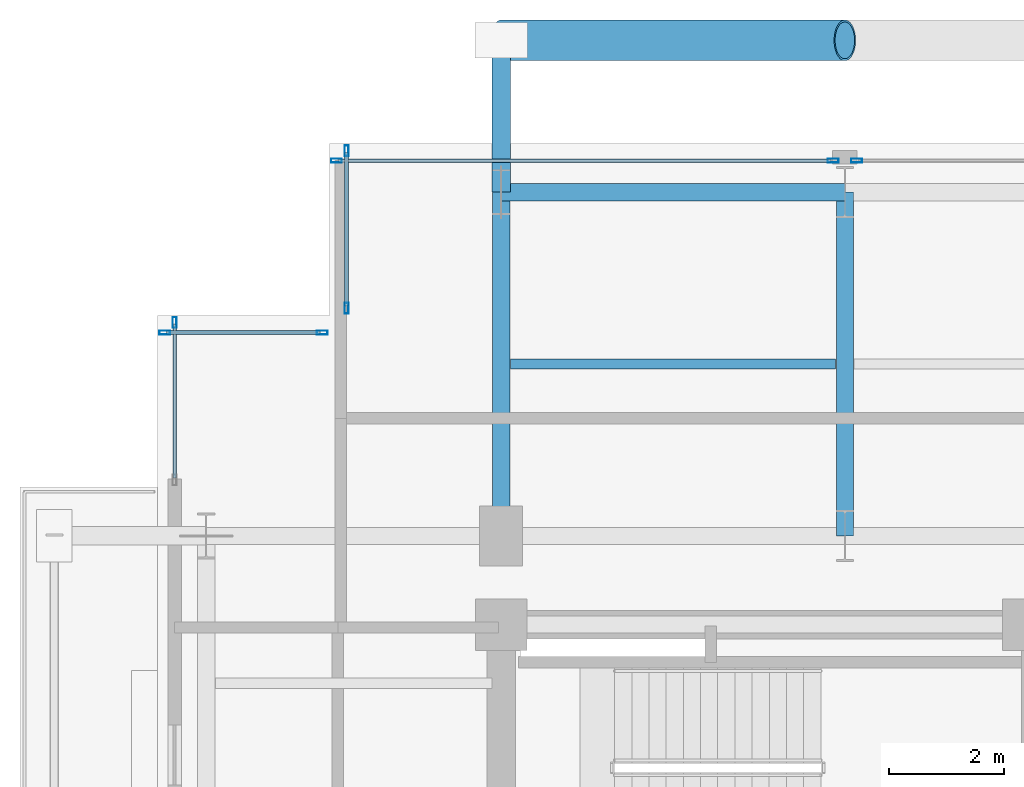
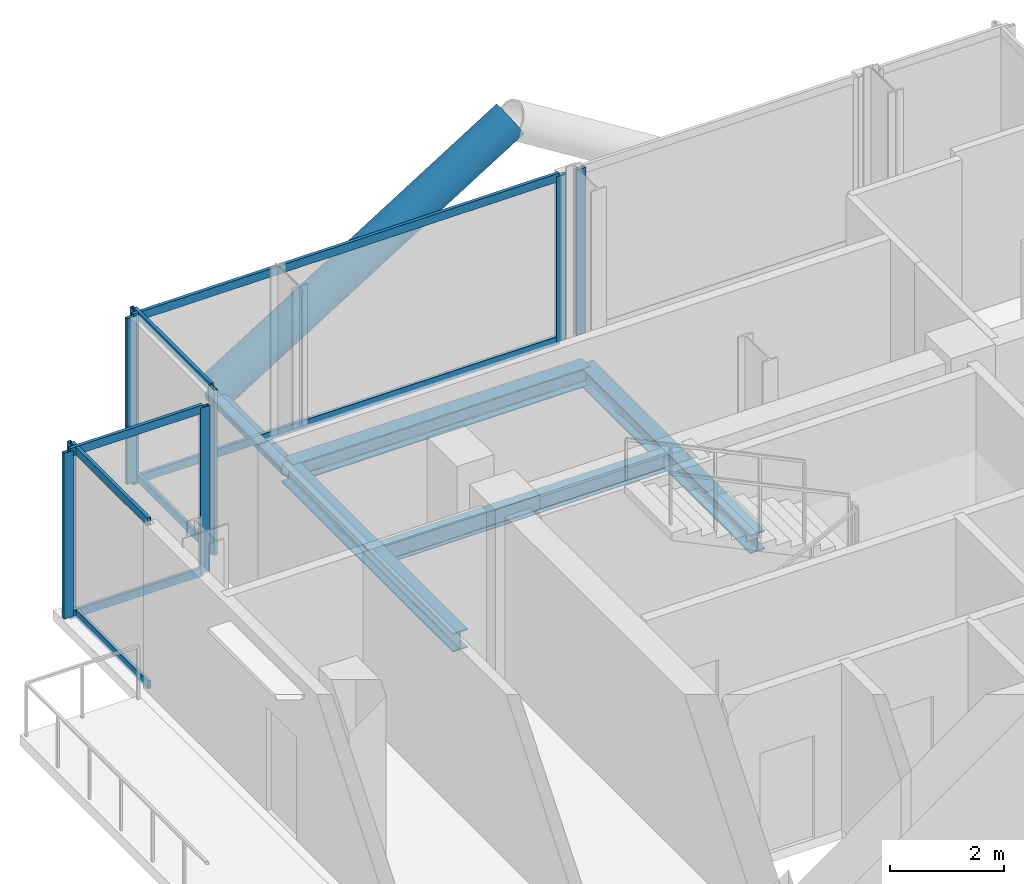
# One storey, part 14 of 25: 18 members, 4 beams, 5 elements without a shape of their own.
"""IFC4 building model written with IfcOpenShell, lengths in metres."""

from ifc_helpers import new_model, si_unit, direction, frame, origin, origin_2d, place, context, subcontext, project, spatial, hollow_rectangle, hollow_circle, i_section, extrude, material, layer, layer_set, material_profile, profile_set, type_object, element, aggregate, save


model = new_model("IFC4")

# Units and contexts
model_context = context("Model", 3, precision=1e-05, world=origin(), true_north=direction((0.0, 1.0)))
body_context = subcontext(model_context, "Body", "Model", "MODEL_VIEW")
ifc_project = project(units=[si_unit("LENGTHUNIT", "METRE"), si_unit("AREAUNIT", "SQUARE_METRE"), si_unit("VOLUMEUNIT", "CUBIC_METRE"), si_unit("PLANEANGLEUNIT", "RADIAN"), si_unit("MASSUNIT", "GRAM", prefix="KILO"), si_unit("THERMODYNAMICTEMPERATUREUNIT", "KELVIN"), si_unit("POWERUNIT", "WATT")], contexts=[model_context])

# Site, building, storey
site_placement = place(None, origin())
site = spatial("IfcSite", under=ifc_project, at=site_placement, CompositionType="ELEMENT")
building_placement = place(site_placement, origin())
building = spatial("IfcBuilding", under=site, at=building_placement, Name="Svarakhadi Broadcast Tower", CompositionType="ELEMENT")
storey_placement = place(building_placement, frame((0.0, 0.0, 227.39990234375)))
storey = spatial("IfcBuildingStorey", under=building, at=storey_placement, Name="L56", CompositionType="ELEMENT", Elevation=227.39990234375)

# Beam
ifc_material_1 = material(Name="Steel S355J2 (IS 2062 E350C)", Category="steel")
ifc_material_profile_1 = material_profile(ifc_material_1, i_section(OverallWidth=0.179931640625, OverallDepth=0.39990234375, WebThickness=0.008544921875, FlangeThickness=0.013427734375, FilletRadius=0.02099609375, at=origin_2d()), Name="NPB 400x180x66")
ifc_profile_set_1 = profile_set([ifc_material_profile_1], Name="Steel S355J2 (IS 2062 E350C)")
beam_type_1 = type_object("IfcBeamType", Name="Beam_NPB400", PredefinedType="BEAM", material=ifc_profile_set_1)
beam_placement = place(storey_placement, frame((6.159912109375, 32.14990234375, -0.409912109375), z_axis=(1.0, 0.0, 0.0), x_axis=(0.0, 1.0, 0.0)))
element("IfcBeam", 1, at=beam_placement, inside=storey, type_object=beam_type_1, Name="L56 Secondary Composite Beam SB008", PredefinedType="BEAM", context=body_context, shape_type="SweptSolid", body=[
    extrude(i_section(OverallWidth=0.179931640625, OverallDepth=0.39990234375, WebThickness=0.008544921875, FlangeThickness=0.013427734375, FilletRadius=0.02099609375, at=origin_2d()), origin(), (0.0, 0.0, 1.0), 5.68017578125),
])

# Curtain wall, member
ifc_material_2 = material(Name="Anodised Bronze Aluminium AA 6063-T6", Category="aluminium")
ifc_layer = layer(ifc_material_2, 0.18994140625)
ifc_layer_set = layer_set([ifc_layer], Name="Anodised Bronze Aluminium AA 6063-T6")
curtain_wall_type = type_object("IfcCurtainWallType", Name="CW_Sys_04", PredefinedType="NOTDEFINED", material=ifc_layer_set)
curtain_wall_1_placement = place(storey_placement, origin())
curtain_wall_1 = element("IfcCurtainWall", 2, at=curtain_wall_1_placement, inside=storey, type_object=curtain_wall_type, Name="L56 West Curtain Wall 03", PredefinedType="NOTDEFINED")
ifc_material_profile_2 = material_profile(ifc_material_2, hollow_rectangle(XDim=0.070068359375, YDim=0.18994140625, WallThickness=0.005615234375, at=origin_2d()), Name="ALU MULLION 190x70x6")
ifc_profile_set_2 = profile_set([ifc_material_profile_2], Name="Anodised Bronze Aluminium AA 6063-T6")
member_type_1 = type_object("IfcMemberType", Name="CW_Sys_04_Mul", PredefinedType="MULLION", material=ifc_profile_set_2)
member_1_placement = place(storey_placement, frame((0.300048828125, 32.875, 0.0), z_axis=(0.0, 0.0, 1.0), x_axis=(-1.0, 0.0, 0.0)))
member_1 = element("IfcMember", 3, at=member_1_placement, type_object=member_type_1, Name="CW-04 mullion 2", PredefinedType="MULLION", context=body_context, shape_type="SweptSolid", body=[
    extrude(hollow_rectangle(XDim=0.070068359375, YDim=0.18994140625, WallThickness=0.005615234375, at=origin_2d()), origin(), (0.0, 0.0, 1.0), 3.5400390625),
])

# Curtain wall, members
curtain_wall_2_placement = place(storey_placement, origin())
curtain_wall_2 = element("IfcCurtainWall", 4, at=curtain_wall_2_placement, inside=storey, type_object=curtain_wall_type, Name="L56 Unitised Facade Curtain Wall 04", PredefinedType="NOTDEFINED")
member_2_placement = place(storey_placement, frame((0.125, 32.699951171875, 0.0), z_axis=(0.0, 0.0, 1.0), x_axis=(0.0, 1.0, 0.0)))
member_2 = element("IfcMember", 5, at=member_2_placement, type_object=member_type_1, Name="CW-04 mullion 1", PredefinedType="MULLION", context=body_context, shape_type="SweptSolid", body=[
    extrude(hollow_rectangle(XDim=0.070068359375, YDim=0.18994140625, WallThickness=0.005615234375, at=origin_2d()), origin(), (0.0, 0.0, 1.0), 3.5400390625),
])
member_3_placement = place(storey_placement, frame((2.875, 32.699951171875, 0.0), z_axis=(0.0, 0.0, 1.0), x_axis=(0.0, 1.0, 0.0)))
member_3 = element("IfcMember", 6, at=member_3_placement, type_object=member_type_1, Name="CW-04 mullion 2", PredefinedType="MULLION", context=body_context, shape_type="SweptSolid", body=[
    extrude(hollow_rectangle(XDim=0.070068359375, YDim=0.18994140625, WallThickness=0.005615234375, at=origin_2d()), origin(), (0.0, 0.0, 1.0), 3.5400390625),
])

curtain_wall_3_placement = place(storey_placement, origin())
curtain_wall_3 = element("IfcCurtainWall", 7, at=curtain_wall_3_placement, inside=storey, type_object=curtain_wall_type, Name="L56 Unitised Facade Curtain Wall 05", PredefinedType="NOTDEFINED")
member_4_placement = place(storey_placement, frame((3.300048828125, 33.125, 0.0), z_axis=(0.0, 0.0, 1.0), x_axis=(-1.0, 0.0, 0.0)))
member_4 = element("IfcMember", 8, at=member_4_placement, type_object=member_type_1, Name="CW-04 mullion 1", PredefinedType="MULLION", context=body_context, shape_type="SweptSolid", body=[
    extrude(hollow_rectangle(XDim=0.070068359375, YDim=0.18994140625, WallThickness=0.005615234375, at=origin_2d()), origin(), (0.0, 0.0, 1.0), 3.5400390625),
])
member_5_placement = place(storey_placement, frame((3.300048828125, 35.875, 0.0), z_axis=(0.0, 0.0, 1.0), x_axis=(-1.0, 0.0, 0.0)))
member_5 = element("IfcMember", 9, at=member_5_placement, type_object=member_type_1, Name="CW-04 mullion 2", PredefinedType="MULLION", context=body_context, shape_type="SweptSolid", body=[
    extrude(hollow_rectangle(XDim=0.070068359375, YDim=0.18994140625, WallThickness=0.005615234375, at=origin_2d()), origin(), (0.0, 0.0, 1.0), 3.5400390625),
])

curtain_wall_4_placement = place(storey_placement, origin())
curtain_wall_4 = element("IfcCurtainWall", 10, at=curtain_wall_4_placement, inside=storey, type_object=curtain_wall_type, Name="L56 Unitised Facade Curtain Wall 06 Bay 1", PredefinedType="NOTDEFINED")
member_6_placement = place(storey_placement, frame((3.125, 35.699951171875, 0.0), z_axis=(0.0, 0.0, 1.0), x_axis=(0.0, 1.0, 0.0)))
member_6 = element("IfcMember", 11, at=member_6_placement, type_object=member_type_1, Name="CW-04 mullion 1", PredefinedType="MULLION", context=body_context, shape_type="SweptSolid", body=[
    extrude(hollow_rectangle(XDim=0.070068359375, YDim=0.18994140625, WallThickness=0.005615234375, at=origin_2d()), origin(), (0.0, 0.0, 1.0), 3.5400390625),
])
member_7_placement = place(storey_placement, frame((11.794921875, 35.699951171875, 0.0), z_axis=(0.0, 0.0, 1.0), x_axis=(0.0, 1.0, 0.0)))
member_7 = element("IfcMember", 12, at=member_7_placement, type_object=member_type_1, Name="CW-04 mullion 2", PredefinedType="MULLION", context=body_context, shape_type="SweptSolid", body=[
    extrude(hollow_rectangle(XDim=0.070068359375, YDim=0.18994140625, WallThickness=0.005615234375, at=origin_2d()), origin(), (0.0, 0.0, 1.0), 3.5400390625),
])

# Curtain wall, member
curtain_wall_5_placement = place(storey_placement, origin())
curtain_wall_5 = element("IfcCurtainWall", 13, at=curtain_wall_5_placement, inside=storey, type_object=curtain_wall_type, Name="L56 Unitised Facade Curtain Wall 06 Bay 2", PredefinedType="NOTDEFINED")
member_8_placement = place(storey_placement, frame((12.205078125, 35.699951171875, 0.0), z_axis=(0.0, 0.0, 1.0), x_axis=(0.0, 1.0, 0.0)))
member_8 = element("IfcMember", 14, at=member_8_placement, type_object=member_type_1, Name="CW-04 mullion 1", PredefinedType="MULLION", context=body_context, shape_type="SweptSolid", body=[
    extrude(hollow_rectangle(XDim=0.070068359375, YDim=0.18994140625, WallThickness=0.005615234375, at=origin_2d()), origin(), (0.0, 0.0, 1.0), 3.5400390625),
])
aggregate(curtain_wall_5, [member_8])

# Member
ifc_material_profile_3 = material_profile(ifc_material_2, hollow_rectangle(XDim=0.06494140625, YDim=0.175048828125, WallThickness=0.0048828125, at=origin_2d()), Name="ALU TRANSOM 175x65x5")
ifc_profile_set_3 = profile_set([ifc_material_profile_3], Name="Anodised Bronze Aluminium AA 6063-T6")
member_type_2 = type_object("IfcMemberType", Name="CW_Sys_04_Trn", PredefinedType="USERDEFINED", material=ifc_profile_set_3)
member_9_placement = place(storey_placement, frame((0.300048828125, 30.159912109375, 0.03271484375), z_axis=(0.0, 1.0, 0.0), x_axis=(-1.0, 0.0, 0.0)))
member_9 = element("IfcMember", 15, at=member_9_placement, type_object=member_type_2, Name="CW-04 transom 1.1", ObjectType="TRANSOM", PredefinedType="USERDEFINED", context=body_context, shape_type="SweptSolid", body=[
    extrude(hollow_rectangle(XDim=0.06494140625, YDim=0.175048828125, WallThickness=0.0048828125, at=origin_2d()), origin(), (0.0, 0.0, 1.0), 2.68017578125),
])

member_10_placement = place(storey_placement, frame((0.300048828125, 30.159912109375, 3.507568359375), z_axis=(0.0, 1.0, 0.0), x_axis=(-1.0, 0.0, 0.0)))
member_10 = element("IfcMember", 16, at=member_10_placement, type_object=member_type_2, Name="CW-04 transom 1.2", ObjectType="TRANSOM", PredefinedType="USERDEFINED", context=body_context, shape_type="SweptSolid", body=[
    extrude(hollow_rectangle(XDim=0.06494140625, YDim=0.175048828125, WallThickness=0.0048828125, at=origin_2d()), origin(), (0.0, 0.0, 1.0), 2.68017578125),
])

aggregate(curtain_wall_1, [member_1, member_9, member_10])

member_11_placement = place(storey_placement, frame((0.159912109375, 32.699951171875, 0.03271484375), z_axis=(1.0, 0.0, 0.0), x_axis=(0.0, 1.0, 0.0)))
member_11 = element("IfcMember", 17, at=member_11_placement, type_object=member_type_2, Name="CW-04 transom 1.1", ObjectType="TRANSOM", PredefinedType="USERDEFINED", context=body_context, shape_type="SweptSolid", body=[
    extrude(hollow_rectangle(XDim=0.06494140625, YDim=0.175048828125, WallThickness=0.0048828125, at=origin_2d()), origin(), (0.0, 0.0, 1.0), 2.68017578125),
])

member_12_placement = place(storey_placement, frame((0.159912109375, 32.699951171875, 3.507568359375), z_axis=(1.0, 0.0, 0.0), x_axis=(0.0, 1.0, 0.0)))
member_12 = element("IfcMember", 18, at=member_12_placement, type_object=member_type_2, Name="CW-04 transom 1.2", ObjectType="TRANSOM", PredefinedType="USERDEFINED", context=body_context, shape_type="SweptSolid", body=[
    extrude(hollow_rectangle(XDim=0.06494140625, YDim=0.175048828125, WallThickness=0.0048828125, at=origin_2d()), origin(), (0.0, 0.0, 1.0), 2.68017578125),
])

aggregate(curtain_wall_2, [member_2, member_3, member_11, member_12])

member_13_placement = place(storey_placement, frame((3.300048828125, 33.159912109375, 0.03271484375), z_axis=(0.0, 1.0, 0.0), x_axis=(-1.0, 0.0, 0.0)))
member_13 = element("IfcMember", 19, at=member_13_placement, type_object=member_type_2, Name="CW-04 transom 1.1", ObjectType="TRANSOM", PredefinedType="USERDEFINED", context=body_context, shape_type="SweptSolid", body=[
    extrude(hollow_rectangle(XDim=0.06494140625, YDim=0.175048828125, WallThickness=0.0048828125, at=origin_2d()), origin(), (0.0, 0.0, 1.0), 2.68017578125),
])

member_14_placement = place(storey_placement, frame((3.300048828125, 33.159912109375, 3.507568359375), z_axis=(0.0, 1.0, 0.0), x_axis=(-1.0, 0.0, 0.0)))
member_14 = element("IfcMember", 20, at=member_14_placement, type_object=member_type_2, Name="CW-04 transom 1.2", ObjectType="TRANSOM", PredefinedType="USERDEFINED", context=body_context, shape_type="SweptSolid", body=[
    extrude(hollow_rectangle(XDim=0.06494140625, YDim=0.175048828125, WallThickness=0.0048828125, at=origin_2d()), origin(), (0.0, 0.0, 1.0), 2.68017578125),
])

aggregate(curtain_wall_3, [member_4, member_5, member_13, member_14])

member_15_placement = place(storey_placement, frame((3.159912109375, 35.699951171875, 0.03271484375), z_axis=(1.0, 0.0, 0.0), x_axis=(0.0, 1.0, 0.0)))
member_15 = element("IfcMember", 21, at=member_15_placement, type_object=member_type_2, Name="CW-04 transom 1.1", ObjectType="TRANSOM", PredefinedType="USERDEFINED", context=body_context, shape_type="SweptSolid", body=[
    extrude(hollow_rectangle(XDim=0.06494140625, YDim=0.175048828125, WallThickness=0.0048828125, at=origin_2d()), origin(), (0.0, 0.0, 1.0), 8.60009765625),
])

member_16_placement = place(storey_placement, frame((3.159912109375, 35.699951171875, 3.507568359375), z_axis=(1.0, 0.0, 0.0), x_axis=(0.0, 1.0, 0.0)))
member_16 = element("IfcMember", 22, at=member_16_placement, type_object=member_type_2, Name="CW-04 transom 1.2", ObjectType="TRANSOM", PredefinedType="USERDEFINED", context=body_context, shape_type="SweptSolid", body=[
    extrude(hollow_rectangle(XDim=0.06494140625, YDim=0.175048828125, WallThickness=0.0048828125, at=origin_2d()), origin(), (0.0, 0.0, 1.0), 8.60009765625),
])

aggregate(curtain_wall_4, [member_6, member_7, member_15, member_16])

# Members
ifc_material_3 = material(Name="Steel S460ML (IS 2062 E450BR)", Category="steel")
ifc_material_profile_4 = material_profile(ifc_material_3, hollow_circle(Radius=0.35546875, WallThickness=0.034912109375, at=origin_2d()), Name="CHS 711x35")
ifc_profile_set_4 = profile_set([ifc_material_profile_4], Name="Steel S460ML (IS 2062 E450BR)")
member_type_3 = type_object("IfcMemberType", Name="Exo_Brace_CHS711", PredefinedType="BRACE", material=ifc_profile_set_4)
member_17_placement = place(storey_placement, frame((6.0, 37.800048828125, -0.371826171875), z_axis=(0.847998304005, 0.0, 0.529998940003), x_axis=(0.0, 1.0, 0.0)))
element("IfcMember", 23, at=member_17_placement, inside=storey, type_object=member_type_3, Name="L56 Exposed Bronze Exoskeleton Diagonal N08", PredefinedType="BRACE", context=body_context, shape_type="SweptSolid", body=[
    extrude(hollow_circle(Radius=0.35546875, WallThickness=0.034912109375, at=origin_2d()), origin(), (0.0, 0.0, 1.0), 7.075439453125),
])
ifc_material_profile_5 = material_profile(ifc_material_3, hollow_circle(Radius=0.161865234375, WallThickness=0.01611328125, at=origin_2d()), Name="CHS 323.9x16")
ifc_profile_set_5 = profile_set([ifc_material_profile_5], Name="Steel S460ML (IS 2062 E450BR)")
member_type_4 = type_object("IfcMemberType", Name="Exo_Radial_Strut_Z2", PredefinedType="STRUT", material=ifc_profile_set_5)
member_18_placement = place(storey_placement, frame((6.0, 37.800048828125, -0.371826171875), z_axis=(0.0, -1.0, 0.0), x_axis=(1.0, 0.0, 0.0)))
element("IfcMember", 24, at=member_18_placement, inside=storey, type_object=member_type_4, Name="L56 Exoskeleton Radial Tie Strut N09", PredefinedType="STRUT", context=body_context, shape_type="SweptSolid", body=[
    extrude(hollow_circle(Radius=0.161865234375, WallThickness=0.01611328125, at=origin_2d()), origin(), (0.0, 0.0, 1.0), 2.650146484375),
])

# Beams
ifc_material_profile_6 = material_profile(ifc_material_1, i_section(OverallWidth=0.300048828125, OverallDepth=0.39990234375, WebThickness=0.013427734375, FlangeThickness=0.02392578125, FilletRadius=0.027099609375, at=origin_2d()), Name="WPB 400x300x155")
ifc_profile_set_6 = profile_set([ifc_material_profile_6], Name="Steel S355J2 (IS 2062 E350C)")
beam_type_2 = type_object("IfcBeamType", Name="Girder_WPB400", PredefinedType="USERDEFINED", material=ifc_profile_set_6)
for number, where, z_axis, x_axis, name in (
    (25, (6.0, 35.14990234375, -0.409912109375), (1.0, 0.0, 0.0), (0.0, 1.0, 0.0), "L56 Primary E-W Girder G031"),
    (26, (6.0, 29.14990234375, -0.409912109375), (0.0, 1.0, 0.0), (-1.0, 0.0, 0.0), "L56 Primary N-S Girder G041"),
    (27, (12.0, 29.14990234375, -0.409912109375), (0.0, 1.0, 0.0), (-1.0, 0.0, 0.0), "L56 Primary N-S Girder G045"),
):
    element("IfcBeam", number, at=place(storey_placement, frame(where, z_axis=z_axis, x_axis=x_axis)), inside=storey, type_object=beam_type_2, Name=name, ObjectType="GIRDER", PredefinedType="USERDEFINED", context=body_context, shape_type="SweptSolid", body=[
        extrude(i_section(OverallWidth=0.300048828125, OverallDepth=0.39990234375, WebThickness=0.013427734375, FlangeThickness=0.02392578125, FilletRadius=0.027099609375, at=origin_2d()), origin(), (0.0, 0.0, 1.0), 6.0),
    ])

save(model, "model.ifc")
